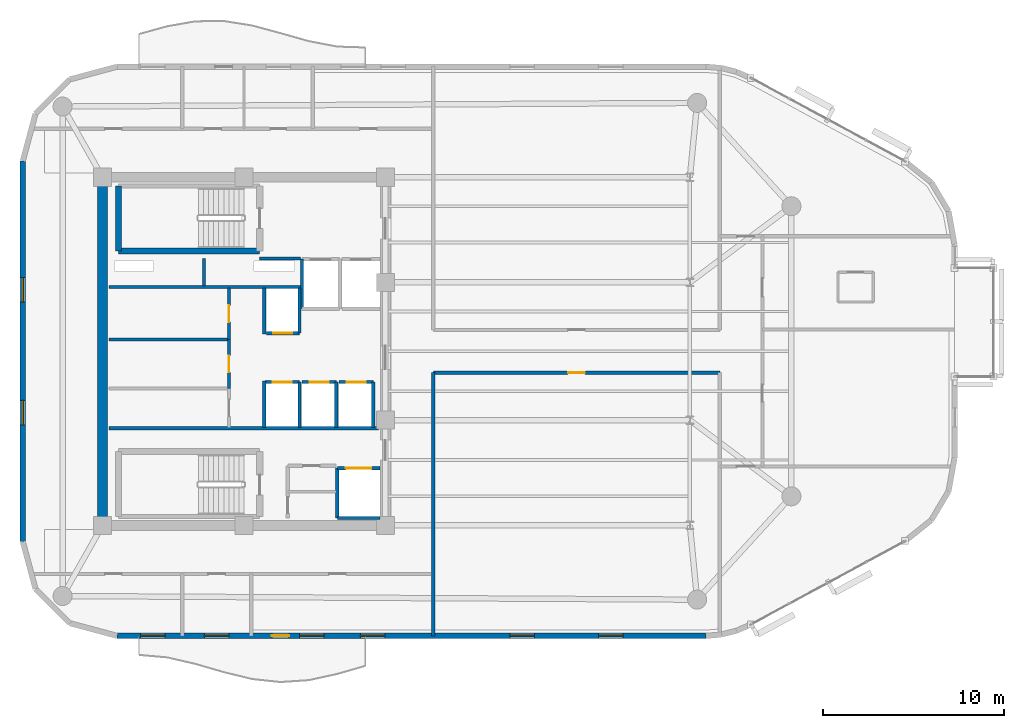
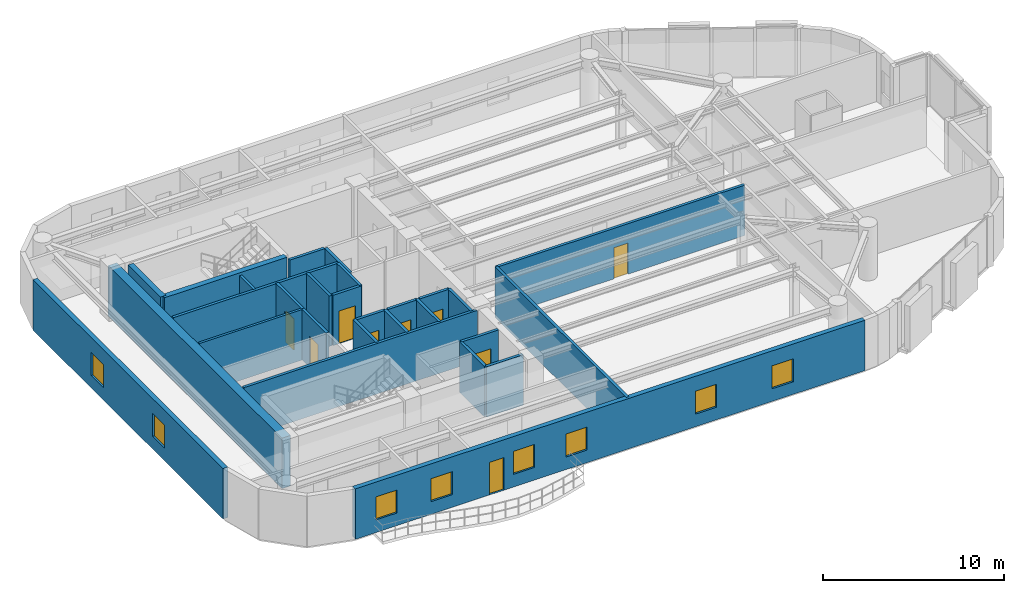
# One storey, part 10 of 14: 28 walls, 9 doors, 8 windows, 17 openings.
"""IFC4 building model written with IfcOpenShell, lengths in metres."""

import ifcopenshell
import ifcopenshell.guid

model = None  # the IFC model being written
_history = None  # IfcOwnerHistory: only IFC2X3 demands one
_inside = {}  # id of a spatial element -> (the spatial element, [elements in it])
_under = {}  # id of a project, library or spatial element -> (it, [spatial elements below it])
_declared = {}  # id of a project -> (the project, [libraries it declares])
_typed = {}  # id of a type object -> (the type object, [elements of that type])
_made_of = {}  # id of a material, layer set ... -> (it, [elements and type objects made of it])


def new_model(schema):
    """Start an empty IFC model of exactly this schema.

    Asked for "IFC4X3", IfcOpenShell would pick the latest addendum, in which some entities
    have other attributes; the version numbers below select the first issue.
    IFC2X3 requires an IfcOwnerHistory on every rooted entity: one is made here for all.
    """
    global model, _history
    if schema == "IFC4X3":
        model = ifcopenshell.file(schema_version=(4, 3, 0, 0))
    else:
        model = ifcopenshell.file(schema=schema)
    _inside.clear()
    _under.clear()
    _declared.clear()
    _typed.clear()
    _made_of.clear()
    _history = None
    if model.schema == "IFC2X3":
        org = make("IfcOrganization", Name="unknown")
        user = make(
            "IfcPersonAndOrganization",
            ThePerson=make("IfcPerson", FamilyName="unknown"),
            TheOrganization=org,
        )
        app = make(
            "IfcApplication",
            ApplicationDeveloper=org,
            Version="unknown",
            ApplicationFullName="unknown",
            ApplicationIdentifier="unknown",
        )
        _history = make(
            "IfcOwnerHistory",
            OwningUser=user,
            OwningApplication=app,
            ChangeAction="ADDED",
            CreationDate=0,
        )
    return model


def make(cls, **values):
    """One entity of the class cls with the attributes given. An attribute that is None is left unset."""
    return model.create_entity(
        cls, **{name: value for name, value in values.items() if value is not None}
    )


def rooted(cls, **values):
    """An entity with a GlobalId (a new one), such as an element, a storey or a relation."""
    return make(cls, GlobalId=ifcopenshell.guid.new(), OwnerHistory=_history, **values)


def si_unit(unit_type, name, prefix=None):
    """IfcSIUnit, for example si_unit("LENGTHUNIT", "METRE", prefix="MILLI")."""
    return make("IfcSIUnit", UnitType=unit_type, Prefix=prefix, Name=name)


def assignment(units):
    """IfcUnitAssignment: the units of a project."""
    return None if units is None else make("IfcUnitAssignment", Units=units)


def point(xyz):
    """IfcCartesianPoint."""
    return None if xyz is None else make("IfcCartesianPoint", Coordinates=xyz)


def direction(xyz):
    """IfcDirection."""
    return None if xyz is None else make("IfcDirection", DirectionRatios=xyz)


def frame(location, z_axis=None, x_axis=None):
    """IfcAxis2Placement3D, a coordinate frame: its origin and axes. An axis left out is left unset."""
    return make(
        "IfcAxis2Placement3D",
        Location=point(location),
        Axis=direction(z_axis),
        RefDirection=direction(x_axis),
    )


def frame_2d(location, x_axis=None):
    """IfcAxis2Placement2D, a coordinate frame in the plane: its origin and x axis."""
    return make(
        "IfcAxis2Placement2D", Location=point(location), RefDirection=direction(x_axis)
    )


def origin():
    """The frame at (0, 0, 0) with its axes left unset."""
    return frame((0.0, 0.0, 0.0))


def place(relative_to, where):
    """IfcLocalPlacement: puts the frame where relative to a parent placement (None: the world)."""
    return make(
        "IfcLocalPlacement", PlacementRelTo=relative_to, RelativePlacement=where
    )


def context(
    kind, dimensions, precision=None, world=None, true_north=None, identifier=None
):
    """IfcGeometricRepresentationContext, for example the 3D "Model" context."""
    return make(
        "IfcGeometricRepresentationContext",
        ContextIdentifier=identifier,
        ContextType=kind,
        CoordinateSpaceDimension=dimensions,
        Precision=precision,
        WorldCoordinateSystem=world,
        TrueNorth=true_north,
    )


def subcontext(parent, identifier, kind, view, scale=None):
    """IfcGeometricRepresentationSubContext, for example "Body" below "Model"."""
    return make(
        "IfcGeometricRepresentationSubContext",
        ContextIdentifier=identifier,
        ContextType=kind,
        ParentContext=parent,
        TargetScale=scale,
        TargetView=view,
    )


def project(units=None, contexts=None):
    """IfcProject with its units and contexts."""
    return rooted(
        "IfcProject",
        Name="project",
        RepresentationContexts=contexts,
        UnitsInContext=assignment(units),
    )


def spatial(cls, under=None, at=None, **own):
    """A site, building, storey or space (cls), placed at a placement, below another one or the project."""
    s = rooted(cls, ObjectPlacement=at, **own)
    if under is not None:
        _under.setdefault(under.id(), (under, []))[1].append(s)
    return s


def profile(cls, at=None, kind="AREA", **sizes):
    """A parametric profile (cls). Its sizes go by their IFC names, for example OverallWidth=200.0."""
    return make(cls, ProfileType=kind, Position=at, **sizes)


def rectangle(**sizes):
    """IfcRectangleProfileDef."""
    return profile("IfcRectangleProfileDef", **sizes)


def extrude(swept, where, along, depth):
    """IfcExtrudedAreaSolid: the profile swept, set in the frame where, extruded along a direction by depth."""
    return make(
        "IfcExtrudedAreaSolid",
        SweptArea=swept,
        Position=where,
        ExtrudedDirection=direction(along),
        Depth=depth,
    )


def shape(context_of_items, identifier, shape_type, items):
    """IfcShapeRepresentation: the items that make up one representation, for example the "Body"."""
    return make(
        "IfcShapeRepresentation",
        ContextOfItems=context_of_items,
        RepresentationIdentifier=identifier,
        RepresentationType=shape_type,
        Items=items,
    )


def material(Name=None, Category=None):
    """IfcMaterial."""
    return make("IfcMaterial", Name=Name, Category=Category)


def layer(
    of_material, thickness, ventilated=None, Name=None, Category=None, Priority=None
):
    """IfcMaterialLayer: one layer of a wall or slab, of a material (None: an air gap)."""
    return make(
        "IfcMaterialLayer",
        Material=of_material,
        LayerThickness=thickness,
        IsVentilated=ventilated,
        Name=Name,
        Category=Category,
        Priority=Priority,
    )


def layer_set(layers, Name=None):
    """IfcMaterialLayerSet."""
    return make("IfcMaterialLayerSet", MaterialLayers=layers, LayerSetName=Name)


def made_of(thing, what):
    """Note that an element or type object is made of a material, layer set ...; save() writes the relation."""
    if what is not None:
        _made_of.setdefault(what.id(), (what, []))[1].append(thing)
    return thing


def type_object(cls, material=None, **own):
    """A type object (cls), such as IfcWallType, which elements share."""
    return made_of(rooted(cls, **own), material)


def element(
    cls,
    number,
    at=None,
    inside=None,
    cuts=None,
    type_object=None,
    material=None,
    context=None,
    identifier="Body",
    shape_type=None,
    held_by="IfcProductDefinitionShape",
    body=None,
    shapes=None,
    **own,
):
    """One element of the class cls, such as IfcWall. Its Tag is "e" and its number.

    at: its placement. inside: the storey or other place that contains it. cuts: it is an
    opening in that element (IfcRelVoidsElement). A single representation is given by context,
    identifier, shape_type and body (its items); several are given by shapes. held_by: the class
    of the entity that holds the representations. save() writes the other relations.
    """
    e = rooted(cls, Tag="e%d" % number, ObjectPlacement=at, **own)
    if body is not None:
        shapes = [shape(context, identifier, shape_type, body)]
    if shapes is not None:
        e.Representation = make(held_by, Representations=shapes)
    if inside is not None:
        _inside.setdefault(inside.id(), (inside, []))[1].append(e)
    if cuts is not None:
        rooted(
            "IfcRelVoidsElement", RelatingBuildingElement=cuts, RelatedOpeningElement=e
        )
    if type_object is not None:
        _typed.setdefault(type_object.id(), (type_object, []))[1].append(e)
    return made_of(e, material)


def fill(opening, filler):
    """IfcRelFillsElement: the door or window that sits in an opening."""
    return rooted(
        "IfcRelFillsElement",
        RelatingOpeningElement=opening,
        RelatedBuildingElement=filler,
    )


def aggregate(whole, parts):
    """IfcRelAggregates: a whole, such as a stair, and the parts it consists of."""
    return rooted("IfcRelAggregates", RelatingObject=whole, RelatedObjects=parts)


def save(model, path):
    """Write the relations noted so far, then the file.

    IfcRelAggregates (storeys below a building ...), IfcRelContainedInSpatialStructure (elements
    in a storey), IfcRelDefinesByType, IfcRelAssociatesMaterial and IfcRelDeclares: one each for
    every whole, place, type object, material and project.
    """
    for whole, parts in _under.values():
        aggregate(whole, parts)
    for where, things in _inside.values():
        rooted(
            "IfcRelContainedInSpatialStructure",
            RelatedElements=things,
            RelatingStructure=where,
        )
    for kind, things in _typed.values():
        rooted("IfcRelDefinesByType", RelatedObjects=things, RelatingType=kind)
    for what, things in _made_of.values():
        rooted("IfcRelAssociatesMaterial", RelatedObjects=things, RelatingMaterial=what)
    for by, libraries in _declared.values():
        rooted("IfcRelDeclares", RelatingContext=by, RelatedDefinitions=libraries)
    model.write(path)


model = new_model("IFC4")

# Units and contexts
model_context = context("Model", 3, precision=1e-05, world=origin(), true_north=direction((0.0, 1.0)))
body_context = subcontext(model_context, "Body", "Model", "MODEL_VIEW")
ifc_project = project(units=[si_unit("LENGTHUNIT", "METRE"), si_unit("AREAUNIT", "SQUARE_METRE"), si_unit("VOLUMEUNIT", "CUBIC_METRE"), si_unit("PLANEANGLEUNIT", "RADIAN"), si_unit("MASSUNIT", "GRAM", prefix="KILO")], contexts=[model_context])

# Site, building, storey
site_placement = place(None, origin())
site = spatial("IfcSite", under=ifc_project, at=site_placement, CompositionType="ELEMENT")
building_placement = place(site_placement, origin())
building = spatial("IfcBuilding", under=site, at=building_placement, Name="An Khanh Terracotta Commons", CompositionType="ELEMENT")
storey_placement = place(building_placement, frame((0.0, 0.0, 230.10009765625)))
storey = spatial("IfcBuildingStorey", under=building, at=storey_placement, Name="L60", CompositionType="ELEMENT", Elevation=230.10009765625)

# Walls
ifc_material_1 = material(Name="Concrete C50/60", Category="concrete")
ifc_layer_1 = layer(ifc_material_1, 0.550048828125, Name="Concrete C50/60")
ifc_layer_set_1 = layer_set([ifc_layer_1], Name="Concrete C50/60")
wall_type_1 = type_object("IfcWallType", Name="WALL-CORE-550", PredefinedType="SHEAR", material=ifc_layer_set_1)
wall_1_placement = place(storey_placement, frame((21.60009765625, 14.39990234375, 0.0), z_axis=(0.0, 0.0, 1.0), x_axis=(0.0, 1.0, 0.0)))
element("IfcWall", 1, at=wall_1_placement, inside=storey, type_object=wall_type_1, Name="L60 Core Wall CWALL-L60-W", PredefinedType="SHEAR", context=body_context, shape_type="SweptSolid", body=[
    extrude(rectangle(XDim=19.2001953125, YDim=0.550048828125, at=frame_2d((9.60009765625, 0.0))), origin(), (0.0, 0.0, 1.0), 3.39990234375),
])
ifc_material_2 = material(Name="Fire-Rated Gypsum Board on Steel Stud", Category="steel")
ifc_layer_2 = layer(ifc_material_2, 0.179931640625, Name="Fire-Rated Gypsum Board on Steel Stud")
ifc_layer_set_2 = layer_set([ifc_layer_2], Name="Fire-Rated Gypsum Board on Steel Stud")
wall_type_2 = type_object("IfcWallType", Name="WALL-CORR-180", PredefinedType="PARTITIONING", material=ifc_layer_set_2)
wall_2_placement = place(storey_placement, frame((30.27001953125, 29.1201171875, 0.0), z_axis=(0.0, 0.0, 1.0), x_axis=(1.0, 0.0, 0.0)))
element("IfcWall", 2, at=wall_2_placement, inside=storey, type_object=wall_type_2, Name="L60 Core Wall FFLW-L60-S", PredefinedType="PARTITIONING", context=body_context, shape_type="SweptSolid", body=[
    extrude(rectangle(XDim=2.239990234375, YDim=0.179931640625, at=frame_2d((1.1201171875, 0.0))), origin(), (0.0, 0.0, 1.0), 3.39990234375),
])
wall_3_placement = place(storey_placement, frame((21.949951171875, 27.5400390625, 0.0), z_axis=(0.0, 0.0, 1.0), x_axis=(1.0, 0.0, 0.0)))
element("IfcWall", 3, at=wall_3_placement, inside=storey, type_object=wall_type_2, Name="L60 Core Wall RSRW-L60-S", PredefinedType="PARTITIONING", context=body_context, shape_type="SweptSolid", body=[
    extrude(rectangle(XDim=10.56005859375, YDim=0.179931640625, at=frame_2d((5.280029296875, 0.0))), origin(), (0.0, 0.0, 1.0), 3.39990234375),
])
wall_4_placement = place(storey_placement, frame((21.949951171875, 19.760009765625, 0.0), z_axis=(0.0, 0.0, 1.0), x_axis=(1.0, 0.0, 0.0)))
element("IfcWall", 4, at=wall_4_placement, inside=storey, type_object=wall_type_2, Name="L60 Core Wall SVW-L60-N", PredefinedType="PARTITIONING", context=body_context, shape_type="SweptSolid", body=[
    extrude(rectangle(XDim=14.8701171875, YDim=0.179931640625, at=frame_2d((7.43505859375, 0.0))), origin(), (0.0, 0.0, 1.0), 3.39990234375),
])
wall_5_placement = place(storey_placement, frame((32.60009765625, 29.080078125, 0.0), z_axis=(0.0, 0.0, 1.0), x_axis=(0.0, -1.0, 0.0)))
element("IfcWall", 5, at=wall_5_placement, inside=storey, type_object=wall_type_2, Name="L60 Core Wall LSH-L60-FFL-01-W", PredefinedType="PARTITIONING", context=body_context, shape_type="SweptSolid", body=[
    extrude(rectangle(XDim=2.72998046875, YDim=0.179931640625, at=frame_2d((1.364990234375, 0.0))), origin(), (0.0, 0.0, 1.0), 3.39990234375),
])

# Wall, opening, door
wall_6_placement = place(storey_placement, frame((34.550048828125, 17.550048828125, 0.0), z_axis=(0.0, 0.0, 1.0), x_axis=(1.0, 0.0, 0.0)))
wall_6 = element("IfcWall", 6, at=wall_6_placement, inside=storey, type_object=wall_type_2, Name="L60 Core Wall LSH-L60-SVL-01-N", PredefinedType="PARTITIONING", context=body_context, shape_type="SweptSolid", body=[
    extrude(rectangle(XDim=2.349853515625, YDim=0.179931640625, at=frame_2d((1.1748046875, 0.0))), origin(), (0.0, 0.0, 1.0), 3.39990234375),
])
opening_1_placement = place(wall_6_placement, frame((0.47509765625, 0.0, 0.0)))
opening_1 = element("IfcOpeningElement", 7, at=opening_1_placement, cuts=wall_6, Name="Opening LD-SVL-01-L60", PredefinedType="OPENING", context=body_context, shape_type="SweptSolid", body=[
    extrude(rectangle(XDim=1.39990234375, YDim=2.300048828125, at=frame_2d((0.699951171875, 1.14990234375))), frame((0.0, 0.099853515625, 0.0), z_axis=(0.0, -1.0, 0.0), x_axis=(1.0, 0.0, 0.0)), (0.0, 0.0, 1.0), 0.199951171875),
])
ifc_material_3 = material(Name="Heavy-Duty Stainless Steel Goods Landing Door", Category="steel")
door_type_1 = type_object("IfcDoorType", Name="DOOR-LD-SVL-1400", OperationType="NOTDEFINED", PredefinedType="DOOR", material=ifc_material_3)
door_1_placement = place(opening_1_placement, origin())
door_1 = element("IfcDoor", 8, at=door_1_placement, inside=storey, type_object=door_type_1, Name="L60 Lift SVL-01 Sliding Landing Door", OperationType="DOUBLE_DOOR_SLIDING", OverallHeight=2.300048828125, OverallWidth=1.39990234375, PredefinedType="DOOR", context=body_context, shape_type="SweptSolid", body=[
    extrude(rectangle(XDim=1.39990234375, YDim=2.300048828125, at=frame_2d((0.699951171875, 1.14990234375))), frame((0.0, 0.02490234375, 0.0), z_axis=(0.0, -1.0, 0.0), x_axis=(1.0, 0.0, 0.0)), (0.0, 0.0, 1.0), 0.050048828125),
])
fill(opening_1, door_1)

# Walls
wall_7_placement = place(storey_placement, frame((36.89990234375, 14.800048828125, 0.0), z_axis=(0.0, 0.0, 1.0), x_axis=(-1.0, 0.0, 0.0)))
element("IfcWall", 9, at=wall_7_placement, inside=storey, type_object=wall_type_2, Name="L60 Core Wall LSH-L60-SVL-01-S", PredefinedType="PARTITIONING", context=body_context, shape_type="SweptSolid", body=[
    extrude(rectangle(XDim=2.349853515625, YDim=0.179931640625, at=frame_2d((1.1748046875, 0.0))), origin(), (0.0, 0.0, 1.0), 3.39990234375),
])
wall_8_placement = place(storey_placement, frame((34.550048828125, 17.550048828125, 0.0), z_axis=(0.0, 0.0, 1.0), x_axis=(0.0, -1.0, 0.0)))
element("IfcWall", 10, at=wall_8_placement, inside=storey, type_object=wall_type_2, Name="L60 Core Wall LSH-L60-SVL-01-W", PredefinedType="PARTITIONING", context=body_context, shape_type="SweptSolid", body=[
    extrude(rectangle(XDim=2.75, YDim=0.179931640625, at=frame_2d((1.375, 0.0))), origin(), (0.0, 0.0, 1.0), 3.39990234375),
])

# Wall, opening, door
wall_9_placement = place(storey_placement, frame((32.4599609375, 25.0, 0.0), z_axis=(0.0, 0.0, 1.0), x_axis=(-1.0, 0.0, 0.0)))
wall_9 = element("IfcWall", 11, at=wall_9_placement, inside=storey, type_object=wall_type_2, Name="L60 Core Wall LSH-L60-PL-H1-S", PredefinedType="PARTITIONING", context=body_context, shape_type="SweptSolid", body=[
    extrude(rectangle(XDim=1.820068359375, YDim=0.179931640625, at=frame_2d((0.91015625, 0.0))), origin(), (0.0, 0.0, 1.0), 3.39990234375),
])
opening_2_placement = place(wall_9_placement, frame((0.385009765625, 0.0, 0.0)))
opening_2 = element("IfcOpeningElement", 12, at=opening_2_placement, cuts=wall_9, Name="Opening LD-PL-H1-L60", PredefinedType="OPENING", context=body_context, shape_type="SweptSolid", body=[
    extrude(rectangle(XDim=1.050048828125, YDim=2.199951171875, at=frame_2d((0.52490234375, 1.10009765625))), frame((0.0, 0.099853515625, 0.0), z_axis=(0.0, -1.0, 0.0), x_axis=(1.0, 0.0, 0.0)), (0.0, 0.0, 1.0), 0.199951171875),
])
ifc_material_4 = material(Name="Brushed Stainless Steel High-Rise Landing Door", Category="steel")
door_type_2 = type_object("IfcDoorType", Name="DOOR-LD-PAXH-1050", OperationType="NOTDEFINED", PredefinedType="DOOR", material=ifc_material_4)
door_2_placement = place(opening_2_placement, origin())
door_2 = element("IfcDoor", 13, at=door_2_placement, inside=storey, type_object=door_type_2, Name="L60 Lift PL-H1 Sliding Landing Door", OperationType="DOUBLE_DOOR_SLIDING", OverallHeight=2.199951171875, OverallWidth=1.050048828125, PredefinedType="DOOR", context=body_context, shape_type="SweptSolid", body=[
    extrude(rectangle(XDim=1.050048828125, YDim=2.199951171875, at=frame_2d((0.52490234375, 1.10009765625))), frame((0.0, 0.02490234375, 0.0), z_axis=(0.0, -1.0, 0.0), x_axis=(1.0, 0.0, 0.0)), (0.0, 0.0, 1.0), 0.050048828125),
])
fill(opening_2, door_2)

# Wall
wall_10_placement = place(storey_placement, frame((32.4599609375, 25.0, 0.0), z_axis=(0.0, 0.0, 1.0), x_axis=(0.0, 1.0, 0.0)))
element("IfcWall", 14, at=wall_10_placement, inside=storey, type_object=wall_type_2, Name="L60 Core Wall LSH-L60-PL-H1-E", PredefinedType="PARTITIONING", context=body_context, shape_type="SweptSolid", body=[
    extrude(rectangle(XDim=2.5, YDim=0.179931640625, at=frame_2d((1.25, 0.0))), origin(), (0.0, 0.0, 1.0), 3.39990234375),
])

# Wall, opening, door
wall_11_placement = place(storey_placement, frame((30.56005859375, 22.300048828125, 0.0), z_axis=(0.0, 0.0, 1.0), x_axis=(1.0, 0.0, 0.0)))
wall_11 = element("IfcWall", 15, at=wall_11_placement, inside=storey, type_object=wall_type_2, Name="L60 Core Wall LSH-L60-PL-H2-N", PredefinedType="PARTITIONING", context=body_context, shape_type="SweptSolid", body=[
    extrude(rectangle(XDim=1.89990234375, YDim=0.179931640625, at=frame_2d((0.949951171875, 0.0))), origin(), (0.0, 0.0, 1.0), 3.39990234375),
])
opening_3_placement = place(wall_11_placement, frame((0.425048828125, 0.0, 0.0)))
opening_3 = element("IfcOpeningElement", 16, at=opening_3_placement, cuts=wall_11, Name="Opening LD-PL-H2-L60", PredefinedType="OPENING", context=body_context, shape_type="SweptSolid", body=[
    extrude(rectangle(XDim=1.050048828125, YDim=2.199951171875, at=frame_2d((0.52490234375, 1.10009765625))), frame((0.0, 0.099853515625, 0.0), z_axis=(0.0, -1.0, 0.0), x_axis=(1.0, 0.0, 0.0)), (0.0, 0.0, 1.0), 0.199951171875),
])
door_3_placement = place(opening_3_placement, origin())
door_3 = element("IfcDoor", 17, at=door_3_placement, inside=storey, type_object=door_type_2, Name="L60 Lift PL-H2 Sliding Landing Door", OperationType="DOUBLE_DOOR_SLIDING", OverallHeight=2.199951171875, OverallWidth=1.050048828125, PredefinedType="DOOR", context=body_context, shape_type="SweptSolid", body=[
    extrude(rectangle(XDim=1.050048828125, YDim=2.199951171875, at=frame_2d((0.52490234375, 1.10009765625))), frame((0.0, 0.02490234375, 0.0), z_axis=(0.0, -1.0, 0.0), x_axis=(1.0, 0.0, 0.0)), (0.0, 0.0, 1.0), 0.050048828125),
])
fill(opening_3, door_3)

# Wall
wall_12_placement = place(storey_placement, frame((32.4599609375, 19.800048828125, 0.0), z_axis=(0.0, 0.0, 1.0), x_axis=(0.0, 1.0, 0.0)))
element("IfcWall", 18, at=wall_12_placement, inside=storey, type_object=wall_type_2, Name="L60 Core Wall LSH-L60-PL-H2-E", PredefinedType="PARTITIONING", context=body_context, shape_type="SweptSolid", body=[
    extrude(rectangle(XDim=2.5, YDim=0.179931640625, at=frame_2d((1.25, 0.0))), origin(), (0.0, 0.0, 1.0), 3.39990234375),
])

# Wall, opening, door
wall_13_placement = place(storey_placement, frame((32.60009765625, 22.300048828125, 0.0), z_axis=(0.0, 0.0, 1.0), x_axis=(1.0, 0.0, 0.0)))
wall_13 = element("IfcWall", 19, at=wall_13_placement, inside=storey, type_object=wall_type_2, Name="L60 Core Wall LSH-L60-PL-H3-N", PredefinedType="PARTITIONING", context=body_context, shape_type="SweptSolid", body=[
    extrude(rectangle(XDim=1.89990234375, YDim=0.179931640625, at=frame_2d((0.949951171875, 0.0))), origin(), (0.0, 0.0, 1.0), 3.39990234375),
])
opening_4_placement = place(wall_13_placement, frame((0.425048828125, 0.0, 0.0)))
opening_4 = element("IfcOpeningElement", 20, at=opening_4_placement, cuts=wall_13, Name="Opening LD-PL-H3-L60", PredefinedType="OPENING", context=body_context, shape_type="SweptSolid", body=[
    extrude(rectangle(XDim=1.050048828125, YDim=2.199951171875, at=frame_2d((0.52490234375, 1.10009765625))), frame((0.0, 0.099853515625, 0.0), z_axis=(0.0, -1.0, 0.0), x_axis=(1.0, 0.0, 0.0)), (0.0, 0.0, 1.0), 0.199951171875),
])
door_4_placement = place(opening_4_placement, origin())
door_4 = element("IfcDoor", 21, at=door_4_placement, inside=storey, type_object=door_type_2, Name="L60 Lift PL-H3 Sliding Landing Door", OperationType="DOUBLE_DOOR_SLIDING", OverallHeight=2.199951171875, OverallWidth=1.050048828125, PredefinedType="DOOR", context=body_context, shape_type="SweptSolid", body=[
    extrude(rectangle(XDim=1.050048828125, YDim=2.199951171875, at=frame_2d((0.52490234375, 1.10009765625))), frame((0.0, 0.02490234375, 0.0), z_axis=(0.0, -1.0, 0.0), x_axis=(1.0, 0.0, 0.0)), (0.0, 0.0, 1.0), 0.050048828125),
])
fill(opening_4, door_4)

# Wall
wall_14_placement = place(storey_placement, frame((34.5, 19.800048828125, 0.0), z_axis=(0.0, 0.0, 1.0), x_axis=(0.0, 1.0, 0.0)))
element("IfcWall", 22, at=wall_14_placement, inside=storey, type_object=wall_type_2, Name="L60 Core Wall LSH-L60-PL-H3-E", PredefinedType="PARTITIONING", context=body_context, shape_type="SweptSolid", body=[
    extrude(rectangle(XDim=2.5, YDim=0.179931640625, at=frame_2d((1.25, 0.0))), origin(), (0.0, 0.0, 1.0), 3.39990234375),
])

# Wall, opening, door
wall_15_placement = place(storey_placement, frame((34.639892578125, 22.300048828125, 0.0), z_axis=(0.0, 0.0, 1.0), x_axis=(1.0, 0.0, 0.0)))
wall_15 = element("IfcWall", 23, at=wall_15_placement, inside=storey, type_object=wall_type_2, Name="L60 Core Wall LSH-L60-PL-H4-N", PredefinedType="PARTITIONING", context=body_context, shape_type="SweptSolid", body=[
    extrude(rectangle(XDim=1.900146484375, YDim=0.179931640625, at=frame_2d((0.9501953125, 0.0))), origin(), (0.0, 0.0, 1.0), 3.39990234375),
])
opening_5_placement = place(wall_15_placement, frame((0.425048828125, 0.0, 0.0)))
opening_5 = element("IfcOpeningElement", 24, at=opening_5_placement, cuts=wall_15, Name="Opening LD-PL-H4-L60", PredefinedType="OPENING", context=body_context, shape_type="SweptSolid", body=[
    extrude(rectangle(XDim=1.050048828125, YDim=2.199951171875, at=frame_2d((0.52490234375, 1.10009765625))), frame((0.0, 0.099853515625, 0.0), z_axis=(0.0, -1.0, 0.0), x_axis=(1.0, 0.0, 0.0)), (0.0, 0.0, 1.0), 0.199951171875),
])
door_5_placement = place(opening_5_placement, origin())
door_5 = element("IfcDoor", 25, at=door_5_placement, inside=storey, type_object=door_type_2, Name="L60 Lift PL-H4 Sliding Landing Door", OperationType="DOUBLE_DOOR_SLIDING", OverallHeight=2.199951171875, OverallWidth=1.050048828125, PredefinedType="DOOR", context=body_context, shape_type="SweptSolid", body=[
    extrude(rectangle(XDim=1.050048828125, YDim=2.199951171875, at=frame_2d((0.52490234375, 1.10009765625))), frame((0.0, 0.02490234375, 0.0), z_axis=(0.0, -1.0, 0.0), x_axis=(1.0, 0.0, 0.0)), (0.0, 0.0, 1.0), 0.050048828125),
])
fill(opening_5, door_5)

# Walls
wall_16_placement = place(storey_placement, frame((36.5400390625, 19.800048828125, 0.0), z_axis=(0.0, 0.0, 1.0), x_axis=(0.0, 1.0, 0.0)))
element("IfcWall", 26, at=wall_16_placement, inside=storey, type_object=wall_type_2, Name="L60 Core Wall LSH-L60-PL-H4-E", PredefinedType="PARTITIONING", context=body_context, shape_type="SweptSolid", body=[
    extrude(rectangle(XDim=2.5, YDim=0.179931640625, at=frame_2d((1.25, 0.0))), origin(), (0.0, 0.0, 1.0), 3.39990234375),
])
for number, where, z_axis, x_axis, name in (
    (27, (30.52001953125, 24.949951171875, 0.0), (0.0, 0.0, 1.0), (0.0, 1.0, 0.0), "L60 Core Wall RECW-L60-BE1"),
    (28, (30.52001953125, 19.800048828125, 0.0), (0.0, 0.0, 1.0), (0.0, 1.0, 0.0), "L60 Core Wall RECW-L60-BE2"),
):
    element("IfcWall", number, at=place(storey_placement, frame(where, z_axis=z_axis, x_axis=x_axis)), inside=storey, type_object=wall_type_2, Name=name, PredefinedType="PARTITIONING", context=body_context, shape_type="SweptSolid", body=[
        extrude(rectangle(XDim=2.550048828125, YDim=0.179931640625, at=frame_2d((1.27490234375, 0.0))), origin(), (0.0, 0.0, 1.0), 3.39990234375),
    ])

# Wall, opening, door
wall_17_placement = place(storey_placement, frame((28.580078125, 24.64990234375, 0.0), z_axis=(0.0, 0.0, 1.0), x_axis=(0.0, 1.0, 0.0)))
wall_17 = element("IfcWall", 29, at=wall_17_placement, inside=storey, type_object=wall_type_2, Name="L60 Core Wall RECW-L60-E1", PredefinedType="PARTITIONING", context=body_context, shape_type="SweptSolid", body=[
    extrude(rectangle(XDim=2.85009765625, YDim=0.179931640625, at=frame_2d((1.425048828125, 0.0))), origin(), (0.0, 0.0, 1.0), 3.39990234375),
])
opening_6_placement = place(wall_17_placement, frame((0.965087890625, 0.0, 0.0)))
opening_6 = element("IfcOpeningElement", 30, at=opening_6_placement, cuts=wall_17, Name="Opening D-RM", PredefinedType="OPENING", context=body_context, shape_type="SweptSolid", body=[
    extrude(rectangle(XDim=0.919921875, YDim=2.10009765625, at=frame_2d((0.4599609375, 1.050048828125))), frame((0.0, 0.099853515625, 0.0), z_axis=(0.0, -1.0, 0.0), x_axis=(1.0, 0.0, 0.0)), (0.0, 0.0, 1.0), 0.199951171875),
])
ifc_material_5 = material(Name="Engineered Hardwood Timber Leaf", Category="wood")
door_type_3 = type_object("IfcDoorType", Name="DOOR-INT-920", OperationType="NOTDEFINED", PredefinedType="DOOR", material=ifc_material_5)
door_6_placement = place(opening_6_placement, origin())
door_6 = element("IfcDoor", 31, at=door_6_placement, inside=storey, type_object=door_type_3, Name="L60 Quiet Focus Pod Door", OperationType="SINGLE_SWING_RIGHT", OverallHeight=2.10009765625, OverallWidth=0.919921875, PredefinedType="DOOR", context=body_context, shape_type="SweptSolid", body=[
    extrude(rectangle(XDim=0.919921875, YDim=2.10009765625, at=frame_2d((0.4599609375, 1.050048828125))), frame((0.0, 0.02490234375, 0.0), z_axis=(0.0, -1.0, 0.0), x_axis=(1.0, 0.0, 0.0)), (0.0, 0.0, 1.0), 0.050048828125),
])
fill(opening_6, door_6)

wall_18_placement = place(storey_placement, frame((28.580078125, 21.949951171875, 0.0), z_axis=(0.0, 0.0, 1.0), x_axis=(0.0, 1.0, 0.0)))
wall_18 = element("IfcWall", 32, at=wall_18_placement, inside=storey, type_object=wall_type_2, Name="L60 Core Wall RECW-L60-E2", PredefinedType="PARTITIONING", context=body_context, shape_type="SweptSolid", body=[
    extrude(rectangle(XDim=2.699951171875, YDim=0.179931640625, at=frame_2d((1.35009765625, 0.0))), origin(), (0.0, 0.0, 1.0), 3.39990234375),
])
opening_7_placement = place(wall_18_placement, frame((0.889892578125, 0.0, 0.0)))
opening_7 = element("IfcOpeningElement", 33, at=opening_7_placement, cuts=wall_18, Name="Opening D-RM", PredefinedType="OPENING", context=body_context, shape_type="SweptSolid", body=[
    extrude(rectangle(XDim=0.919921875, YDim=2.10009765625, at=frame_2d((0.4599609375, 1.050048828125))), frame((0.0, 0.099853515625, 0.0), z_axis=(0.0, -1.0, 0.0), x_axis=(1.0, 0.0, 0.0)), (0.0, 0.0, 1.0), 0.199951171875),
])
door_7_placement = place(opening_7_placement, origin())
door_7 = element("IfcDoor", 34, at=door_7_placement, inside=storey, type_object=door_type_3, Name="L60 Floor Pantry and Tea Room Door", OperationType="SINGLE_SWING_LEFT", OverallHeight=2.10009765625, OverallWidth=0.919921875, PredefinedType="DOOR", context=body_context, shape_type="SweptSolid", body=[
    extrude(rectangle(XDim=0.919921875, YDim=2.10009765625, at=frame_2d((0.4599609375, 1.050048828125))), frame((0.0, 0.02490234375, 0.0), z_axis=(0.0, -1.0, 0.0), x_axis=(1.0, 0.0, 0.0)), (0.0, 0.0, 1.0), 0.050048828125),
])
fill(opening_7, door_7)

wall_19_placement = place(storey_placement, frame((39.85009765625, 22.820068359375, 0.0), z_axis=(0.0, 0.0, 1.0), x_axis=(1.0, 0.0, 0.0)))
wall_19 = element("IfcWall", 35, at=wall_19_placement, inside=storey, type_object=wall_type_2, Name="L60 Interior Partition IW-L60-E003", PredefinedType="PARTITIONING", context=body_context, shape_type="SweptSolid", body=[
    extrude(rectangle(XDim=15.7998046875, YDim=0.179931640625, at=frame_2d((7.89990234375, 0.0))), origin(), (0.0, 0.0, 1.0), 3.39990234375),
])
opening_8_placement = place(wall_19_placement, frame((7.43994140625, 0.0, 0.0)))
opening_8 = element("IfcOpeningElement", 36, at=opening_8_placement, cuts=wall_19, Name="Opening D-RM", PredefinedType="OPENING", context=body_context, shape_type="SweptSolid", body=[
    extrude(rectangle(XDim=0.919921875, YDim=2.10009765625, at=frame_2d((0.4599609375, 1.050048828125))), frame((0.0, 0.099853515625, 0.0), z_axis=(0.0, -1.0, 0.0), x_axis=(1.0, 0.0, 0.0)), (0.0, 0.0, 1.0), 0.199951171875),
])
door_8_placement = place(opening_8_placement, origin())
door_8 = element("IfcDoor", 37, at=door_8_placement, inside=storey, type_object=door_type_3, Name="L60 SB1 Riverfront Reading Hall Door", OperationType="SINGLE_SWING_RIGHT", OverallHeight=2.10009765625, OverallWidth=0.919921875, PredefinedType="DOOR", context=body_context, shape_type="SweptSolid", body=[
    extrude(rectangle(XDim=0.919921875, YDim=2.10009765625, at=frame_2d((0.4599609375, 1.050048828125))), frame((0.0, 0.02490234375, 0.0), z_axis=(0.0, -1.0, 0.0), x_axis=(1.0, 0.0, 0.0)), (0.0, 0.0, 1.0), 0.050048828125),
])
fill(opening_8, door_8)

# Wall
wall_20_placement = place(storey_placement, frame((39.85009765625, 8.300048828125, 0.0), z_axis=(0.0, 0.0, 1.0), x_axis=(0.0, 1.0, 0.0)))
element("IfcWall", 38, at=wall_20_placement, inside=storey, type_object=wall_type_2, Name="L60 Interior Partition IW-L60-E013", PredefinedType="PARTITIONING", context=body_context, shape_type="SweptSolid", body=[
    extrude(rectangle(XDim=14.52001953125, YDim=0.179931640625, at=frame_2d((7.260009765625, 0.0))), origin(), (0.0, 0.0, 1.0), 3.39990234375),
])

# Wall, openings, door, windows
ifc_material_6 = material(Name="Precast concrete C40/50", Category="concrete")
ifc_layer_3 = layer(ifc_material_6, 0.300048828125, Name="Precast concrete C40/50")
ifc_layer_set_3 = layer_set([ifc_layer_3], Name="Precast concrete C40/50")
wall_type_3 = type_object("IfcWallType", Name="WALL-EXT-300", PredefinedType="SOLIDWALL", material=ifc_layer_set_3)
wall_21_placement = place(storey_placement, frame((22.39990234375, 8.300048828125, 0.0), z_axis=(0.0, 0.0, 1.0), x_axis=(1.0, 0.0, 0.0)))
wall_21 = element("IfcWall", 39, at=wall_21_placement, inside=storey, type_object=wall_type_3, Name="L60 Insulated Terracotta Exterior Wall 4", PredefinedType="SOLIDWALL", context=body_context, shape_type="SweptSolid", body=[
    extrude(rectangle(XDim=32.485107421875, YDim=0.300048828125, at=frame_2d((16.24267578125, 0.0))), origin(), (0.0, 0.0, 1.0), 3.39990234375),
])
opening_9_placement = place(wall_21_placement, frame((8.5380859375, 0.0, 0.0)))
opening_9 = element("IfcOpeningElement", 40, at=opening_9_placement, cuts=wall_21, Name="Opening D-BAL", PredefinedType="OPENING", context=body_context, shape_type="SweptSolid", body=[
    extrude(rectangle(XDim=0.949951171875, YDim=2.199951171875, at=frame_2d((0.47509765625, 1.10009765625))), frame((0.0, 0.159912109375, 0.0), z_axis=(0.0, -1.0, 0.0), x_axis=(1.0, 0.0, 0.0)), (0.0, 0.0, 1.0), 0.320068359375),
])
opening_10_placement = place(wall_21_placement, frame((1.300048828125, 0.0, 0.85009765625)))
opening_10 = element("IfcOpeningElement", 41, at=opening_10_placement, cuts=wall_21, Name="Opening W-04", PredefinedType="OPENING", context=body_context, shape_type="SweptSolid", body=[
    extrude(rectangle(XDim=1.35009765625, YDim=1.550048828125, at=frame_2d((0.675048828125, 0.77490234375))), frame((0.0, 0.159912109375, 0.0), z_axis=(0.0, -1.0, 0.0), x_axis=(1.0, 0.0, 0.0)), (0.0, 0.0, 1.0), 0.320068359375),
])
opening_11_placement = place(wall_21_placement, frame((4.824951171875, 0.0, 0.85009765625)))
opening_11 = element("IfcOpeningElement", 42, at=opening_11_placement, cuts=wall_21, Name="Opening W-04", PredefinedType="OPENING", context=body_context, shape_type="SweptSolid", body=[
    extrude(rectangle(XDim=1.35009765625, YDim=1.550048828125, at=frame_2d((0.675048828125, 0.77490234375))), frame((0.0, 0.159912109375, 0.0), z_axis=(0.0, -1.0, 0.0), x_axis=(1.0, 0.0, 0.0)), (0.0, 0.0, 1.0), 0.320068359375),
])
opening_12_placement = place(wall_21_placement, frame((10.074951171875, 0.0, 0.85009765625)))
opening_12 = element("IfcOpeningElement", 43, at=opening_12_placement, cuts=wall_21, Name="Opening W-04", PredefinedType="OPENING", context=body_context, shape_type="SweptSolid", body=[
    extrude(rectangle(XDim=1.35009765625, YDim=1.550048828125, at=frame_2d((0.675048828125, 0.77490234375))), frame((0.0, 0.159912109375, 0.0), z_axis=(0.0, -1.0, 0.0), x_axis=(1.0, 0.0, 0.0)), (0.0, 0.0, 1.0), 0.320068359375),
])
opening_13_placement = place(wall_21_placement, frame((13.425048828125, 0.0, 0.85009765625)))
opening_13 = element("IfcOpeningElement", 44, at=opening_13_placement, cuts=wall_21, Name="Opening W-04", PredefinedType="OPENING", context=body_context, shape_type="SweptSolid", body=[
    extrude(rectangle(XDim=1.35009765625, YDim=1.550048828125, at=frame_2d((0.675048828125, 0.77490234375))), frame((0.0, 0.159912109375, 0.0), z_axis=(0.0, -1.0, 0.0), x_axis=(1.0, 0.0, 0.0)), (0.0, 0.0, 1.0), 0.320068359375),
])
opening_14_placement = place(wall_21_placement, frame((21.669921875, 0.0, 0.85009765625)))
opening_14 = element("IfcOpeningElement", 45, at=opening_14_placement, cuts=wall_21, Name="Opening W-04", PredefinedType="OPENING", context=body_context, shape_type="SweptSolid", body=[
    extrude(rectangle(XDim=1.35009765625, YDim=1.550048828125, at=frame_2d((0.675048828125, 0.77490234375))), frame((0.0, 0.159912109375, 0.0), z_axis=(0.0, -1.0, 0.0), x_axis=(1.0, 0.0, 0.0)), (0.0, 0.0, 1.0), 0.320068359375),
])
opening_15_placement = place(wall_21_placement, frame((26.56494140625, 0.0, 0.85009765625)))
opening_15 = element("IfcOpeningElement", 46, at=opening_15_placement, cuts=wall_21, Name="Opening W-04", PredefinedType="OPENING", context=body_context, shape_type="SweptSolid", body=[
    extrude(rectangle(XDim=1.35009765625, YDim=1.550048828125, at=frame_2d((0.675048828125, 0.77490234375))), frame((0.0, 0.159912109375, 0.0), z_axis=(0.0, -1.0, 0.0), x_axis=(1.0, 0.0, 0.0)), (0.0, 0.0, 1.0), 0.320068359375),
])
ifc_material_7 = material(Name="Thermally Broken Aluminium and Low-E Glass", Category="aluminium")
door_type_4 = type_object("IfcDoorType", Name="DOOR-BALC-950", OperationType="NOTDEFINED", PredefinedType="DOOR", material=ifc_material_7)
door_9_placement = place(opening_9_placement, origin())
door_9 = element("IfcDoor", 47, at=door_9_placement, inside=storey, type_object=door_type_4, Name="L60 S Wave Balcony Glazed Door", OperationType="SINGLE_SWING_LEFT", OverallHeight=2.199951171875, OverallWidth=0.949951171875, PredefinedType="DOOR", context=body_context, shape_type="SweptSolid", body=[
    extrude(rectangle(XDim=0.949951171875, YDim=2.199951171875, at=frame_2d((0.47509765625, 1.10009765625))), frame((0.0, 0.02490234375, 0.0), z_axis=(0.0, -1.0, 0.0), x_axis=(1.0, 0.0, 0.0)), (0.0, 0.0, 1.0), 0.050048828125),
])
fill(opening_9, door_9)
window_type = type_object("IfcWindowType", Name="WIN-Z4-1350x1550", PartitioningType="SINGLE_PANEL", PredefinedType="WINDOW", material=ifc_material_7)
window_1_placement = place(opening_10_placement, origin())
window_1 = element("IfcWindow", 48, at=window_1_placement, inside=storey, type_object=window_type, Name="L60 Operable Casement Window 4.1", OverallHeight=1.550048828125, OverallWidth=1.35009765625, PartitioningType="SINGLE_PANEL", PredefinedType="WINDOW", context=body_context, shape_type="SweptSolid", body=[
    extrude(rectangle(XDim=1.35009765625, YDim=1.550048828125, at=frame_2d((0.675048828125, 0.77490234375))), frame((0.0, 0.030029296875, 0.0), z_axis=(0.0, -1.0, 0.0), x_axis=(1.0, 0.0, 0.0)), (0.0, 0.0, 1.0), 0.06005859375),
])
fill(opening_10, window_1)
window_2_placement = place(opening_11_placement, origin())
window_2 = element("IfcWindow", 49, at=window_2_placement, inside=storey, type_object=window_type, Name="L60 Operable Casement Window 4.2", OverallHeight=1.550048828125, OverallWidth=1.35009765625, PartitioningType="SINGLE_PANEL", PredefinedType="WINDOW", context=body_context, shape_type="SweptSolid", body=[
    extrude(rectangle(XDim=1.35009765625, YDim=1.550048828125, at=frame_2d((0.675048828125, 0.77490234375))), frame((0.0, 0.030029296875, 0.0), z_axis=(0.0, -1.0, 0.0), x_axis=(1.0, 0.0, 0.0)), (0.0, 0.0, 1.0), 0.06005859375),
])
fill(opening_11, window_2)
window_3_placement = place(opening_12_placement, origin())
window_3 = element("IfcWindow", 50, at=window_3_placement, inside=storey, type_object=window_type, Name="L60 Operable Casement Window 4.3", OverallHeight=1.550048828125, OverallWidth=1.35009765625, PartitioningType="SINGLE_PANEL", PredefinedType="WINDOW", context=body_context, shape_type="SweptSolid", body=[
    extrude(rectangle(XDim=1.35009765625, YDim=1.550048828125, at=frame_2d((0.675048828125, 0.77490234375))), frame((0.0, 0.030029296875, 0.0), z_axis=(0.0, -1.0, 0.0), x_axis=(1.0, 0.0, 0.0)), (0.0, 0.0, 1.0), 0.06005859375),
])
fill(opening_12, window_3)
window_4_placement = place(opening_13_placement, origin())
window_4 = element("IfcWindow", 51, at=window_4_placement, inside=storey, type_object=window_type, Name="L60 Operable Casement Window 4.4", OverallHeight=1.550048828125, OverallWidth=1.35009765625, PartitioningType="SINGLE_PANEL", PredefinedType="WINDOW", context=body_context, shape_type="SweptSolid", body=[
    extrude(rectangle(XDim=1.35009765625, YDim=1.550048828125, at=frame_2d((0.675048828125, 0.77490234375))), frame((0.0, 0.030029296875, 0.0), z_axis=(0.0, -1.0, 0.0), x_axis=(1.0, 0.0, 0.0)), (0.0, 0.0, 1.0), 0.06005859375),
])
fill(opening_13, window_4)
window_5_placement = place(opening_14_placement, origin())
window_5 = element("IfcWindow", 52, at=window_5_placement, inside=storey, type_object=window_type, Name="L60 Operable Casement Window 4.5", OverallHeight=1.550048828125, OverallWidth=1.35009765625, PartitioningType="SINGLE_PANEL", PredefinedType="WINDOW", context=body_context, shape_type="SweptSolid", body=[
    extrude(rectangle(XDim=1.35009765625, YDim=1.550048828125, at=frame_2d((0.675048828125, 0.77490234375))), frame((0.0, 0.030029296875, 0.0), z_axis=(0.0, -1.0, 0.0), x_axis=(1.0, 0.0, 0.0)), (0.0, 0.0, 1.0), 0.06005859375),
])
fill(opening_14, window_5)
window_6_placement = place(opening_15_placement, origin())
window_6 = element("IfcWindow", 53, at=window_6_placement, inside=storey, type_object=window_type, Name="L60 Operable Casement Window 4.6", OverallHeight=1.550048828125, OverallWidth=1.35009765625, PartitioningType="SINGLE_PANEL", PredefinedType="WINDOW", context=body_context, shape_type="SweptSolid", body=[
    extrude(rectangle(XDim=1.35009765625, YDim=1.550048828125, at=frame_2d((0.675048828125, 0.77490234375))), frame((0.0, 0.030029296875, 0.0), z_axis=(0.0, -1.0, 0.0), x_axis=(1.0, 0.0, 0.0)), (0.0, 0.0, 1.0), 0.06005859375),
])
fill(opening_15, window_6)

# Wall, openings, windows
wall_22_placement = place(storey_placement, frame((17.199951171875, 34.5, 0.0), z_axis=(0.0, 0.0, 1.0), x_axis=(0.0, -1.0, 0.0)))
wall_22 = element("IfcWall", 54, at=wall_22_placement, inside=storey, type_object=wall_type_3, Name="L60 Insulated Terracotta Exterior Wall 24", PredefinedType="SOLIDWALL", context=body_context, shape_type="SweptSolid", body=[
    extrude(rectangle(XDim=21.0, YDim=0.300048828125, at=frame_2d((10.5, 0.0))), origin(), (0.0, 0.0, 1.0), 3.39990234375),
])
opening_16_placement = place(wall_22_placement, frame((6.44189453125, 0.0, 0.85009765625)))
opening_16 = element("IfcOpeningElement", 55, at=opening_16_placement, cuts=wall_22, Name="Opening W-04", PredefinedType="OPENING", context=body_context, shape_type="SweptSolid", body=[
    extrude(rectangle(XDim=1.35009765625, YDim=1.550048828125, at=frame_2d((0.675048828125, 0.77490234375))), frame((0.0, 0.159912109375, 0.0), z_axis=(0.0, -1.0, 0.0), x_axis=(1.0, 0.0, 0.0)), (0.0, 0.0, 1.0), 0.320068359375),
])
opening_17_placement = place(wall_22_placement, frame((13.2080078125, 0.0, 0.85009765625)))
opening_17 = element("IfcOpeningElement", 56, at=opening_17_placement, cuts=wall_22, Name="Opening W-04", PredefinedType="OPENING", context=body_context, shape_type="SweptSolid", body=[
    extrude(rectangle(XDim=1.35009765625, YDim=1.550048828125, at=frame_2d((0.675048828125, 0.77490234375))), frame((0.0, 0.159912109375, 0.0), z_axis=(0.0, -1.0, 0.0), x_axis=(1.0, 0.0, 0.0)), (0.0, 0.0, 1.0), 0.320068359375),
])
window_7_placement = place(opening_16_placement, origin())
window_7 = element("IfcWindow", 57, at=window_7_placement, inside=storey, type_object=window_type, Name="L60 Operable Casement Window 24.1", OverallHeight=1.550048828125, OverallWidth=1.35009765625, PartitioningType="SINGLE_PANEL", PredefinedType="WINDOW", context=body_context, shape_type="SweptSolid", body=[
    extrude(rectangle(XDim=1.35009765625, YDim=1.550048828125, at=frame_2d((0.675048828125, 0.77490234375))), frame((0.0, 0.030029296875, 0.0), z_axis=(0.0, -1.0, 0.0), x_axis=(1.0, 0.0, 0.0)), (0.0, 0.0, 1.0), 0.06005859375),
])
fill(opening_16, window_7)
window_8_placement = place(opening_17_placement, origin())
window_8 = element("IfcWindow", 58, at=window_8_placement, inside=storey, type_object=window_type, Name="L60 Operable Casement Window 24.2", OverallHeight=1.550048828125, OverallWidth=1.35009765625, PartitioningType="SINGLE_PANEL", PredefinedType="WINDOW", context=body_context, shape_type="SweptSolid", body=[
    extrude(rectangle(XDim=1.35009765625, YDim=1.550048828125, at=frame_2d((0.675048828125, 0.77490234375))), frame((0.0, 0.030029296875, 0.0), z_axis=(0.0, -1.0, 0.0), x_axis=(1.0, 0.0, 0.0)), (0.0, 0.0, 1.0), 0.06005859375),
])
fill(opening_17, window_8)

# Walls
ifc_material_8 = material(Name="Acoustic Gypsum Board Partition")
ifc_layer_4 = layer(ifc_material_8, 0.14990234375, Name="Acoustic Gypsum Board Partition")
ifc_layer_set_4 = layer_set([ifc_layer_4], Name="Acoustic Gypsum Board Partition")
wall_type_4 = type_object("IfcWallType", Name="WALL-PART-150", PredefinedType="PARTITIONING", material=ifc_layer_set_4)
wall_23_placement = place(storey_placement, frame((27.199951171875, 27.60009765625, 0.0), z_axis=(0.0, 0.0, 1.0), x_axis=(0.0, 1.0, 0.0)))
element("IfcWall", 59, at=wall_23_placement, inside=storey, type_object=wall_type_4, Name="L60 Core Wall RSRW-L60-D1", PredefinedType="PARTITIONING", context=body_context, shape_type="SweptSolid", body=[
    extrude(rectangle(XDim=1.52001953125, YDim=0.14990234375, at=frame_2d((0.760009765625, 0.0))), origin(), (0.0, 0.0, 1.0), 3.39990234375),
])
wall_24_placement = place(storey_placement, frame((21.949951171875, 24.64990234375, 0.0), z_axis=(0.0, 0.0, 1.0), x_axis=(1.0, 0.0, 0.0)))
element("IfcWall", 60, at=wall_24_placement, inside=storey, type_object=wall_type_4, Name="L60 Core Wall RECW-L60-H1", PredefinedType="PARTITIONING", context=body_context, shape_type="SweptSolid", body=[
    extrude(rectangle(XDim=6.630126953125, YDim=0.14990234375, at=frame_2d((3.31494140625, 0.0))), origin(), (0.0, 0.0, 1.0), 3.39990234375),
])
ifc_layer_5 = layer(ifc_material_1, 0.35009765625, Name="Concrete C50/60")
ifc_layer_set_5 = layer_set([ifc_layer_5], Name="Concrete C50/60")
wall_type_5 = type_object("IfcWallType", Name="WALL-SHAFT-350", PredefinedType="SOLIDWALL", material=ifc_layer_set_5)
wall_25_placement = place(storey_placement, frame((22.47998046875, 29.530029296875, 0.0), z_axis=(0.0, 0.0, 1.0), x_axis=(1.0, 0.0, 0.0)))
element("IfcWall", 61, at=wall_25_placement, inside=storey, type_object=wall_type_5, Name="L60 Core Wall STW-L60-N-S", PredefinedType="SOLIDWALL", context=body_context, shape_type="SweptSolid", body=[
    extrude(rectangle(XDim=7.7900390625, YDim=0.35009765625, at=frame_2d((3.89501953125, 0.0))), origin(), (0.0, 0.0, 1.0), 3.39990234375),
])
wall_26_placement = place(storey_placement, frame((22.47998046875, 29.530029296875, 0.0), z_axis=(0.0, 0.0, 1.0), x_axis=(0.0, 1.0, 0.0)))
element("IfcWall", 62, at=wall_26_placement, inside=storey, type_object=wall_type_5, Name="L60 Core Wall STW-L60-N-W", PredefinedType="SOLIDWALL", context=body_context, shape_type="SweptSolid", body=[
    extrude(rectangle(XDim=3.580078125, YDim=0.35009765625, at=frame_2d((1.7900390625, 0.0))), origin(), (0.0, 0.0, 1.0), 3.39990234375),
])

save(model, "model.ifc")
